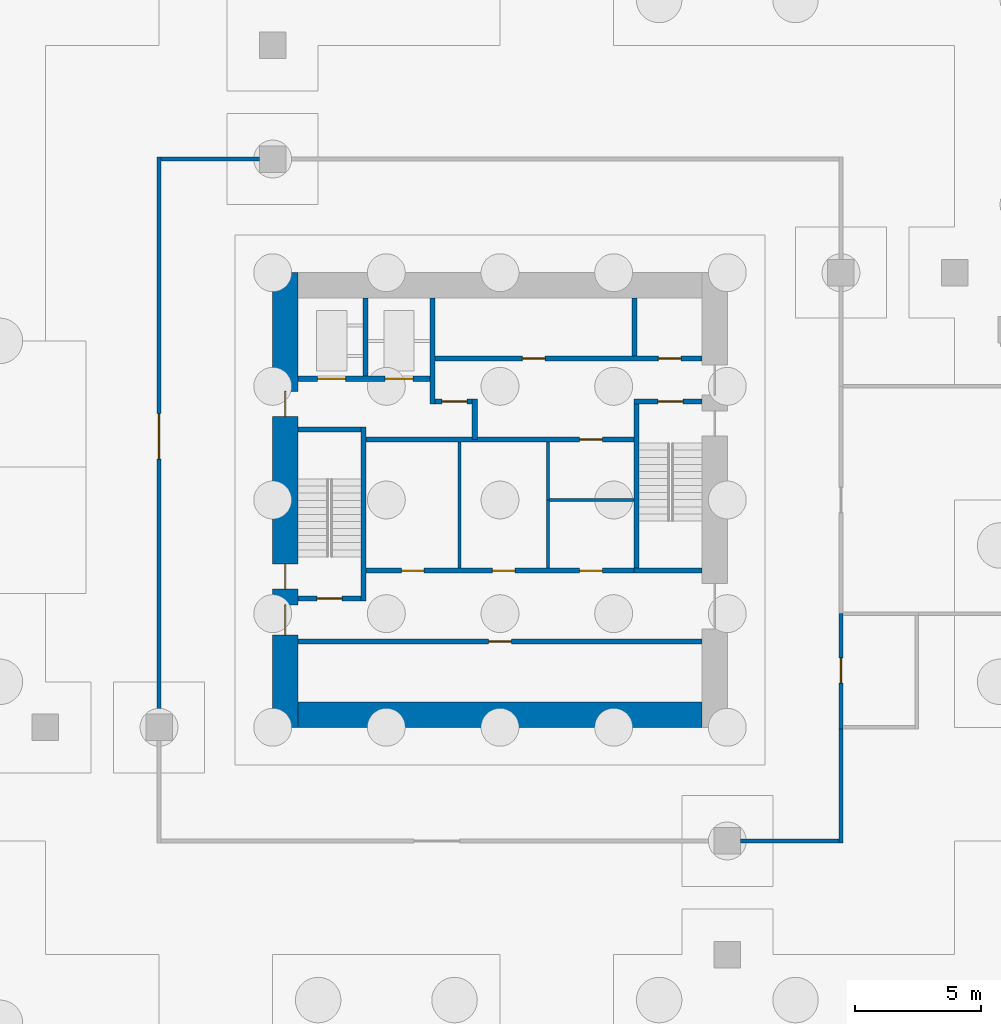
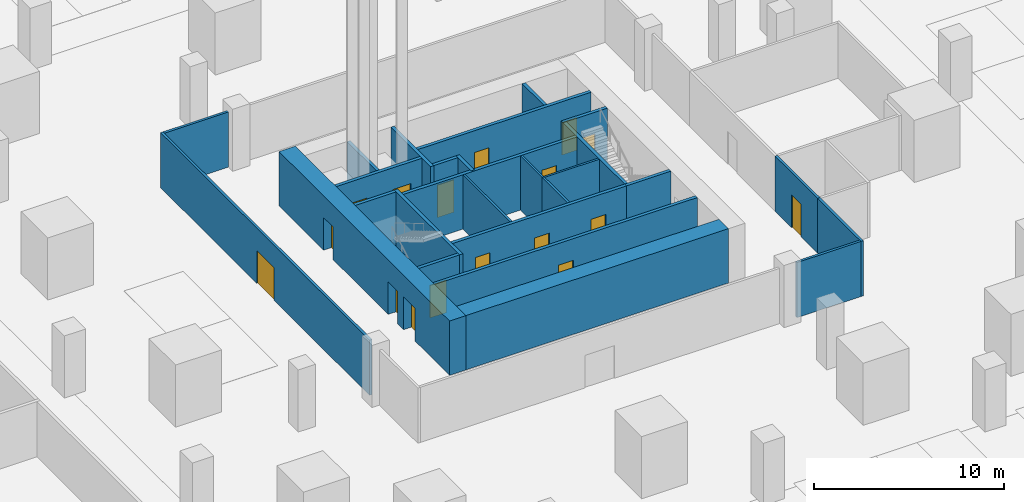
# One storey, part 6 of 40: 27 walls, 17 doors, 17 openings.
"""IFC4 building model written with IfcOpenShell, lengths in metres."""

from ifc_helpers import new_model, si_unit, direction, frame, frame_2d, origin, place, context, subcontext, project, spatial, rectangle, extrude, material, layer, layer_set, type_object, element, fill, save


model = new_model("IFC4")

# Units and contexts
model_context = context("Model", 3, precision=1e-05, world=origin(), true_north=direction((0.0, 1.0)))
body_context = subcontext(model_context, "Body", "Model", "MODEL_VIEW")
ifc_project = project(units=[si_unit("LENGTHUNIT", "METRE"), si_unit("AREAUNIT", "SQUARE_METRE"), si_unit("VOLUMEUNIT", "CUBIC_METRE"), si_unit("PLANEANGLEUNIT", "RADIAN"), si_unit("MASSUNIT", "GRAM", prefix="KILO")], contexts=[model_context])

# Site, building, storey
site_placement = place(None, origin())
site = spatial("IfcSite", under=ifc_project, at=site_placement, CompositionType="ELEMENT")
building_placement = place(site_placement, origin())
building = spatial("IfcBuilding", under=site, at=building_placement, Name="Altepetl Exchange Towers", CompositionType="ELEMENT")
storey_placement = place(building_placement, frame((0.0, 0.0, -8.0)))
storey = spatial("IfcBuildingStorey", under=building, at=storey_placement, Name="B2 Basement parking", CompositionType="ELEMENT", Elevation=-8.0)

# Wall
ifc_material_1 = material(Name="Concrete C70/85", Category="concrete")
ifc_layer_1 = layer(ifc_material_1, 1.0)
ifc_layer_set_1 = layer_set([ifc_layer_1], Name="Concrete C70/85")
wall_type_1 = type_object("IfcWallType", Name="Core wall 1000 reinforced concrete", PredefinedType="SHEAR", material=ifc_layer_set_1)
wall_1_placement = place(storey_placement, frame((41.5, 41.0, 0.0)))
element("IfcWall", 1, at=wall_1_placement, inside=storey, type_object=wall_type_1, Name="wall:A:B2:K-coreS", PredefinedType="SHEAR", context=body_context, shape_type="SweptSolid", body=[
    extrude(rectangle(XDim=16.0, YDim=1.0, at=frame_2d((8.0, 0.0))), origin(), (0.0, 0.0, 1.0), 3.5),
])

# Wall, openings, doors
wall_2_placement = place(storey_placement, frame((41.0, 40.5, 0.0), z_axis=(0.0, 0.0, 1.0), x_axis=(0.0, 1.0, 0.0)))
wall_2 = element("IfcWall", 2, at=wall_2_placement, inside=storey, type_object=wall_type_1, Name="wall:A:B2:K-coreW", PredefinedType="SHEAR", context=body_context, shape_type="SweptSolid", body=[
    extrude(rectangle(XDim=18.0, YDim=1.0, at=frame_2d((9.0, 0.0))), origin(), (0.0, 0.0, 1.0), 3.5),
])
opening_1_placement = place(wall_2_placement, frame((3.64990234375, 0.0, 0.0)))
opening_1 = element("IfcOpeningElement", 3, at=opening_1_placement, cuts=wall_2, Name="Opening B2.A62", PredefinedType="OPENING", context=body_context, shape_type="SweptSolid", body=[
    extrude(rectangle(XDim=1.199951171875, YDim=2.10009765625, at=frame_2d((0.60009765625, 1.050048828125))), frame((0.0, 0.510009765625, 0.0), z_axis=(0.0, -1.0, 0.0), x_axis=(1.0, 0.0, 0.0)), (0.0, 0.0, 1.0), 1.02001953125),
])
opening_2_placement = place(wall_2_placement, frame((5.47509765625, 0.0, 0.0)))
opening_2 = element("IfcOpeningElement", 4, at=opening_2_placement, cuts=wall_2, Name="Opening B2.A64", PredefinedType="OPENING", context=body_context, shape_type="SweptSolid", body=[
    extrude(rectangle(XDim=1.0, YDim=2.10009765625, at=frame_2d((0.5, 1.050048828125))), frame((0.0, 0.510009765625, 0.0), z_axis=(0.0, -1.0, 0.0), x_axis=(1.0, 0.0, 0.0)), (0.0, 0.0, 1.0), 1.02001953125),
])
opening_3_placement = place(wall_2_placement, frame((12.300048828125, 0.0, 0.0)))
opening_3 = element("IfcOpeningElement", 5, at=opening_3_placement, cuts=wall_2, Name="Opening B2.A68", PredefinedType="OPENING", context=body_context, shape_type="SweptSolid", body=[
    extrude(rectangle(XDim=1.0, YDim=2.10009765625, at=frame_2d((0.5, 1.050048828125))), frame((0.0, 0.510009765625, 0.0), z_axis=(0.0, -1.0, 0.0), x_axis=(1.0, 0.0, 0.0)), (0.0, 0.0, 1.0), 1.02001953125),
])
ifc_material_2 = material(Name="Steel and timber fire door", Category="steel")
door_type_1 = type_object("IfcDoorType", Name="Fire door 1000 x 2100 stair and lobby", OperationType="SINGLE_SWING_LEFT", PredefinedType="DOOR", material=ifc_material_2)
door_1_placement = place(opening_2_placement, frame((1.0, 0.0, 0.0), x_axis=(-1.0, 0.0, 0.0)))
door_1 = element("IfcDoor", 6, at=door_1_placement, inside=storey, type_object=door_type_1, Name="door:A:B2:K-dS1x", OperationType="SINGLE_SWING_RIGHT", OverallHeight=2.10009765625, OverallWidth=1.0, PredefinedType="DOOR", context=body_context, shape_type="SweptSolid", body=[
    extrude(rectangle(XDim=1.0, YDim=2.10009765625, at=frame_2d((0.5, 1.050048828125))), frame((0.0, 0.02490234375, 0.0), z_axis=(0.0, -1.0, 0.0), x_axis=(1.0, 0.0, 0.0)), (0.0, 0.0, 1.0), 0.050048828125),
])
fill(opening_2, door_1)
door_2_placement = place(opening_3_placement, frame((1.0, 0.0, 0.0), x_axis=(-1.0, 0.0, 0.0)))
door_2 = element("IfcDoor", 7, at=door_2_placement, inside=storey, type_object=door_type_1, Name="door:A:B2:K-dffW", OperationType="SINGLE_SWING_LEFT", OverallHeight=2.10009765625, OverallWidth=1.0, PredefinedType="DOOR", context=body_context, shape_type="SweptSolid", body=[
    extrude(rectangle(XDim=1.0, YDim=2.10009765625, at=frame_2d((0.5, 1.050048828125))), frame((0.0, 0.02490234375, 0.0), z_axis=(0.0, -1.0, 0.0), x_axis=(1.0, 0.0, 0.0)), (0.0, 0.0, 1.0), 0.050048828125),
])
fill(opening_3, door_2)
door_type_2 = type_object("IfcDoorType", Name="Fire door 1200 x 2100 lobby entry", OperationType="SINGLE_SWING_LEFT", PredefinedType="DOOR", material=ifc_material_2)
door_3_placement = place(opening_1_placement, frame((1.199951171875, 0.0, 0.0), x_axis=(-1.0, 0.0, 0.0)))
door_3 = element("IfcDoor", 8, at=door_3_placement, inside=storey, type_object=door_type_2, Name="door:A:B2:K-dLSW", OperationType="SINGLE_SWING_LEFT", OverallHeight=2.10009765625, OverallWidth=1.199951171875, PredefinedType="DOOR", context=body_context, shape_type="SweptSolid", body=[
    extrude(rectangle(XDim=1.199951171875, YDim=2.10009765625, at=frame_2d((0.60009765625, 1.050048828125))), frame((0.0, 0.02490234375, 0.0), z_axis=(0.0, -1.0, 0.0), x_axis=(1.0, 0.0, 0.0)), (0.0, 0.0, 1.0), 0.050048828125),
])
fill(opening_1, door_3)

# Wall
ifc_material_3 = material(Name="Concrete blockwork", Category="masonry")
ifc_layer_2 = layer(ifc_material_3, 0.199951171875)
ifc_layer_set_2 = layer_set([ifc_layer_2], Name="Concrete blockwork")
wall_type_2 = type_object("IfcWallType", Name="Lobby wall 200 blockwork", PredefinedType="PARTITIONING", material=ifc_layer_set_2)
wall_3_placement = place(storey_placement, frame((48.5, 51.89990234375, 0.0), z_axis=(0.0, 0.0, 1.0), x_axis=(0.0, 1.0, 0.0)))
element("IfcWall", 9, at=wall_3_placement, inside=storey, type_object=wall_type_2, Name="wall:A:B2:K-ffE", PredefinedType="PARTITIONING", context=body_context, shape_type="SweptSolid", body=[
    extrude(rectangle(XDim=1.60009765625, YDim=0.199951171875, at=frame_2d((0.800048828125, 0.0))), origin(), (0.0, 0.0, 1.0), 3.5),
])

# Wall, opening, door
wall_4_placement = place(storey_placement, frame((46.933349609375, 53.39990234375, 0.0)))
wall_4 = element("IfcWall", 10, at=wall_4_placement, inside=storey, type_object=wall_type_2, Name="wall:A:B2:K-ffN", PredefinedType="PARTITIONING", context=body_context, shape_type="SweptSolid", body=[
    extrude(rectangle(XDim=1.466552734375, YDim=0.199951171875, at=frame_2d((0.7333984375, 0.0))), origin(), (0.0, 0.0, 1.0), 3.5),
])
opening_4_placement = place(wall_4_placement, frame((0.2666015625, 0.0, 0.0)))
opening_4 = element("IfcOpeningElement", 11, at=opening_4_placement, cuts=wall_4, Name="Opening B2.A67", PredefinedType="OPENING", context=body_context, shape_type="SweptSolid", body=[
    extrude(rectangle(XDim=1.0, YDim=2.10009765625, at=frame_2d((0.5, 1.050048828125))), frame((0.0, 0.10986328125, 0.0), z_axis=(0.0, -1.0, 0.0), x_axis=(1.0, 0.0, 0.0)), (0.0, 0.0, 1.0), 0.219970703125),
])
door_4_placement = place(opening_4_placement, frame((1.0, 0.0, 0.0), x_axis=(-1.0, 0.0, 0.0)))
door_4 = element("IfcDoor", 12, at=door_4_placement, inside=storey, type_object=door_type_1, Name="door:A:B2:K-dffN", OperationType="SINGLE_SWING_RIGHT", OverallHeight=2.10009765625, OverallWidth=1.0, PredefinedType="DOOR", context=body_context, shape_type="SweptSolid", body=[
    extrude(rectangle(XDim=1.0, YDim=2.10009765625, at=frame_2d((0.5, 1.050048828125))), frame((0.0, 0.02490234375, 0.0), z_axis=(0.0, -1.0, 0.0), x_axis=(1.0, 0.0, 0.0)), (0.0, 0.0, 1.0), 0.050048828125),
])
fill(opening_4, door_4)

wall_5_placement = place(storey_placement, frame((44.199951171875, 51.89990234375, 0.0)))
wall_5 = element("IfcWall", 13, at=wall_5_placement, inside=storey, type_object=wall_type_2, Name="wall:A:B2:K-zoneN", PredefinedType="PARTITIONING", context=body_context, shape_type="SweptSolid", body=[
    extrude(rectangle(XDim=10.60009765625, YDim=0.199951171875, at=frame_2d((5.300048828125, 0.0))), origin(), (0.0, 0.0, 1.0), 3.5),
])
opening_5_placement = place(wall_5_placement, frame((8.449951171875, 0.0, 0.0)))
opening_5 = element("IfcOpeningElement", 14, at=opening_5_placement, cuts=wall_5, Name="Opening B2.A75", PredefinedType="OPENING", context=body_context, shape_type="SweptSolid", body=[
    extrude(rectangle(XDim=0.89990234375, YDim=2.10009765625, at=frame_2d((0.449951171875, 1.050048828125))), frame((0.0, 0.10986328125, 0.0), z_axis=(0.0, -1.0, 0.0), x_axis=(1.0, 0.0, 0.0)), (0.0, 0.0, 1.0), 0.219970703125),
])
door_type_3 = type_object("IfcDoorType", Name="Fire door 900 x 2100 service room", OperationType="SINGLE_SWING_LEFT", PredefinedType="DOOR", material=ifc_material_2)
door_5_placement = place(opening_5_placement, frame((0.89990234375, 0.0, 0.0), x_axis=(-1.0, 0.0, 0.0)))
door_5 = element("IfcDoor", 15, at=door_5_placement, inside=storey, type_object=door_type_3, Name="door:A:B2:K-dz4", OperationType="SINGLE_SWING_LEFT", OverallHeight=2.10009765625, OverallWidth=0.89990234375, PredefinedType="DOOR", context=body_context, shape_type="SweptSolid", body=[
    extrude(rectangle(XDim=0.89990234375, YDim=2.10009765625, at=frame_2d((0.449951171875, 1.050048828125))), frame((0.0, 0.02490234375, 0.0), z_axis=(0.0, -1.0, 0.0), x_axis=(1.0, 0.0, 0.0)), (0.0, 0.0, 1.0), 0.050048828125),
])
fill(opening_5, door_5)

# Wall, openings, doors
wall_6_placement = place(storey_placement, frame((44.199951171875, 46.699951171875, 0.0)))
wall_6 = element("IfcWall", 16, at=wall_6_placement, inside=storey, type_object=wall_type_2, Name="wall:A:B2:K-zoneS", PredefinedType="PARTITIONING", context=body_context, shape_type="SweptSolid", body=[
    extrude(rectangle(XDim=10.60009765625, YDim=0.199951171875, at=frame_2d((5.300048828125, 0.0))), origin(), (0.0, 0.0, 1.0), 3.5),
])
opening_6_placement = place(wall_6_placement, frame((1.39990234375, 0.0, 0.0)))
opening_6 = element("IfcOpeningElement", 17, at=opening_6_placement, cuts=wall_6, Name="Opening B2.A72", PredefinedType="OPENING", context=body_context, shape_type="SweptSolid", body=[
    extrude(rectangle(XDim=0.89990234375, YDim=2.10009765625, at=frame_2d((0.449951171875, 1.050048828125))), frame((0.0, 0.10986328125, 0.0), z_axis=(0.0, -1.0, 0.0), x_axis=(1.0, 0.0, 0.0)), (0.0, 0.0, 1.0), 0.219970703125),
])
opening_7_placement = place(wall_6_placement, frame((5.0, 0.0, 0.0)))
opening_7 = element("IfcOpeningElement", 18, at=opening_7_placement, cuts=wall_6, Name="Opening B2.A73", PredefinedType="OPENING", context=body_context, shape_type="SweptSolid", body=[
    extrude(rectangle(XDim=0.89990234375, YDim=2.10009765625, at=frame_2d((0.449951171875, 1.050048828125))), frame((0.0, 0.10986328125, 0.0), z_axis=(0.0, -1.0, 0.0), x_axis=(1.0, 0.0, 0.0)), (0.0, 0.0, 1.0), 0.219970703125),
])
opening_8_placement = place(wall_6_placement, frame((8.449951171875, 0.0, 0.0)))
opening_8 = element("IfcOpeningElement", 19, at=opening_8_placement, cuts=wall_6, Name="Opening B2.A74", PredefinedType="OPENING", context=body_context, shape_type="SweptSolid", body=[
    extrude(rectangle(XDim=0.89990234375, YDim=2.10009765625, at=frame_2d((0.449951171875, 1.050048828125))), frame((0.0, 0.10986328125, 0.0), z_axis=(0.0, -1.0, 0.0), x_axis=(1.0, 0.0, 0.0)), (0.0, 0.0, 1.0), 0.219970703125),
])
door_6_placement = place(opening_6_placement, origin())
door_6 = element("IfcDoor", 20, at=door_6_placement, inside=storey, type_object=door_type_3, Name="door:A:B2:K-dz1", OperationType="SINGLE_SWING_LEFT", OverallHeight=2.10009765625, OverallWidth=0.89990234375, PredefinedType="DOOR", context=body_context, shape_type="SweptSolid", body=[
    extrude(rectangle(XDim=0.89990234375, YDim=2.10009765625, at=frame_2d((0.449951171875, 1.050048828125))), frame((0.0, 0.02490234375, 0.0), z_axis=(0.0, -1.0, 0.0), x_axis=(1.0, 0.0, 0.0)), (0.0, 0.0, 1.0), 0.050048828125),
])
fill(opening_6, door_6)
door_7_placement = place(opening_7_placement, origin())
door_7 = element("IfcDoor", 21, at=door_7_placement, inside=storey, type_object=door_type_3, Name="door:A:B2:K-dz2", OperationType="SINGLE_SWING_RIGHT", OverallHeight=2.10009765625, OverallWidth=0.89990234375, PredefinedType="DOOR", context=body_context, shape_type="SweptSolid", body=[
    extrude(rectangle(XDim=0.89990234375, YDim=2.10009765625, at=frame_2d((0.449951171875, 1.050048828125))), frame((0.0, 0.02490234375, 0.0), z_axis=(0.0, -1.0, 0.0), x_axis=(1.0, 0.0, 0.0)), (0.0, 0.0, 1.0), 0.050048828125),
])
fill(opening_7, door_7)
door_8_placement = place(opening_8_placement, origin())
door_8 = element("IfcDoor", 22, at=door_8_placement, inside=storey, type_object=door_type_3, Name="door:A:B2:K-dz3", OperationType="SINGLE_SWING_RIGHT", OverallHeight=2.10009765625, OverallWidth=0.89990234375, PredefinedType="DOOR", context=body_context, shape_type="SweptSolid", body=[
    extrude(rectangle(XDim=0.89990234375, YDim=2.10009765625, at=frame_2d((0.449951171875, 1.050048828125))), frame((0.0, 0.02490234375, 0.0), z_axis=(0.0, -1.0, 0.0), x_axis=(1.0, 0.0, 0.0)), (0.0, 0.0, 1.0), 0.050048828125),
])
fill(opening_8, door_8)

# Walls
ifc_material_4 = material(Name="Gypsum board on steel studs", Category="steel")
ifc_layer_3 = layer(ifc_material_4, 0.125)
ifc_layer_set_3 = layer_set([ifc_layer_3], Name="Gypsum board on steel studs")
wall_type_3 = type_object("IfcWallType", Name="Partition 125 gypsum board on steel studs", PredefinedType="PARTITIONING", material=ifc_layer_set_3)
wall_7_placement = place(storey_placement, frame((47.89990234375, 46.800048828125, 0.0), z_axis=(0.0, 0.0, 1.0), x_axis=(0.0, 1.0, 0.0)))
element("IfcWall", 23, at=wall_7_placement, inside=storey, type_object=wall_type_3, Name="wall:A:B2:K-zp1", PredefinedType="PARTITIONING", context=body_context, shape_type="SweptSolid", body=[
    extrude(rectangle(XDim=5.0, YDim=0.125, at=frame_2d((2.5, 0.0))), origin(), (0.0, 0.0, 1.0), 3.5),
])
wall_8_placement = place(storey_placement, frame((51.39990234375, 46.800048828125, 0.0), z_axis=(0.0, 0.0, 1.0), x_axis=(0.0, 1.0, 0.0)))
element("IfcWall", 24, at=wall_8_placement, inside=storey, type_object=wall_type_3, Name="wall:A:B2:K-zp2", PredefinedType="PARTITIONING", context=body_context, shape_type="SweptSolid", body=[
    extrude(rectangle(XDim=2.762451171875, YDim=0.125, at=frame_2d((1.38134765625, 0.0))), origin(), (0.0, 0.0, 1.0), 3.5),
])
wall_9_placement = place(storey_placement, frame((54.800048828125, 49.5, 0.0), z_axis=(0.0, 0.0, 1.0), x_axis=(-1.0, 0.0, 0.0)))
element("IfcWall", 25, at=wall_9_placement, inside=storey, type_object=wall_type_3, Name="wall:A:B2:K-zp3", PredefinedType="PARTITIONING", context=body_context, shape_type="SweptSolid", body=[
    extrude(rectangle(XDim=3.337646484375, YDim=0.125, at=frame_2d((1.6689453125, 0.0))), origin(), (0.0, 0.0, 1.0), 3.5),
])
wall_10_placement = place(storey_placement, frame((51.39990234375, 49.5, 0.0), z_axis=(0.0, 0.0, 1.0), x_axis=(0.0, 1.0, 0.0)))
element("IfcWall", 26, at=wall_10_placement, inside=storey, type_object=wall_type_3, Name="wall:A:B2:K-zp4", PredefinedType="PARTITIONING", context=body_context, shape_type="SweptSolid", body=[
    extrude(rectangle(XDim=2.300048828125, YDim=0.125, at=frame_2d((1.14990234375, 0.0))), origin(), (0.0, 0.0, 1.0), 3.5),
])

# Wall, opening, door
ifc_layer_4 = layer(ifc_material_4, 0.14990234375)
ifc_layer_set_4 = layer_set([ifc_layer_4], Name="Gypsum board on steel studs")
wall_type_4 = type_object("IfcWallType", Name="Podium partition 150", PredefinedType="PARTITIONING", material=ifc_layer_set_4)
wall_11_placement = place(storey_placement, frame((63.0, 40.425048828125, 0.0), z_axis=(0.0, 0.0, 1.0), x_axis=(0.0, 1.0, 0.0)))
wall_11 = element("IfcWall", 27, at=wall_11_placement, inside=storey, type_object=wall_type_4, Name="wall:P:B2:P030", PredefinedType="PARTITIONING", context=body_context, shape_type="SweptSolid", body=[
    extrude(rectangle(XDim=4.574951171875, YDim=0.14990234375, at=frame_2d((2.28759765625, 0.0))), origin(), (0.0, 0.0, 1.0), 3.550048828125),
])
opening_9_placement = place(wall_11_placement, frame((1.824951171875, 0.0, 0.0)))
opening_9 = element("IfcOpeningElement", 28, at=opening_9_placement, cuts=wall_11, Name="Opening B2.P011", PredefinedType="OPENING", context=body_context, shape_type="SweptSolid", body=[
    extrude(rectangle(XDim=1.0, YDim=2.10009765625, at=frame_2d((0.5, 1.050048828125))), frame((0.0, 0.0849609375, 0.0), z_axis=(0.0, -1.0, 0.0), x_axis=(1.0, 0.0, 0.0)), (0.0, 0.0, 1.0), 0.169921875),
])
door_type_4 = type_object("IfcDoorType", Name="Podium fire door 1000 x 2100 single leaf", OperationType="SINGLE_SWING_LEFT", PredefinedType="DOOR", material=ifc_material_2)
door_9_placement = place(opening_9_placement, frame((1.0, 0.0, 0.0), x_axis=(-1.0, 0.0, 0.0)))
door_9 = element("IfcDoor", 29, at=door_9_placement, inside=storey, type_object=door_type_4, Name="door:P:B2:011", OperationType="SINGLE_SWING_RIGHT", OverallHeight=2.10009765625, OverallWidth=1.0, PredefinedType="DOOR", context=body_context, shape_type="SweptSolid", body=[
    extrude(rectangle(XDim=1.0, YDim=2.10009765625, at=frame_2d((0.5, 1.050048828125))), frame((0.0, 0.02490234375, 0.0), z_axis=(0.0, -1.0, 0.0), x_axis=(1.0, 0.0, 0.0)), (0.0, 0.0, 1.0), 0.050048828125),
])
fill(opening_9, door_9)

wall_12_placement = place(storey_placement, frame((36.0, 41.02001953125, 0.0), z_axis=(0.0, 0.0, 1.0), x_axis=(0.0, 1.0, 0.0)))
wall_12 = element("IfcWall", 30, at=wall_12_placement, inside=storey, type_object=wall_type_4, Name="wall:P:B2:P032", PredefinedType="PARTITIONING", context=body_context, shape_type="SweptSolid", body=[
    extrude(rectangle(XDim=22.054931640625, YDim=0.14990234375, at=frame_2d((11.02734375, 0.0))), origin(), (0.0, 0.0, 1.0), 3.550048828125),
])
opening_10_placement = place(wall_12_placement, frame((10.10009765625, 0.0, 0.0)))
opening_10 = element("IfcOpeningElement", 31, at=opening_10_placement, cuts=wall_12, Name="Opening B2.P020", PredefinedType="OPENING", context=body_context, shape_type="SweptSolid", body=[
    extrude(rectangle(XDim=1.800048828125, YDim=2.10009765625, at=frame_2d((0.89990234375, 1.050048828125))), frame((0.0, 0.0849609375, 0.0), z_axis=(0.0, -1.0, 0.0), x_axis=(1.0, 0.0, 0.0)), (0.0, 0.0, 1.0), 0.169921875),
])
ifc_material_5 = material(Name="Glazed aluminium and steel", Category="steel")
door_type_5 = type_object("IfcDoorType", Name="Podium fire door 1800 x 2100 double leaf", OperationType="DOUBLE_DOOR_SINGLE_SWING", PredefinedType="DOOR", material=ifc_material_5)
door_10_placement = place(opening_10_placement, frame((1.800048828125, 0.0, 0.0), x_axis=(-1.0, 0.0, 0.0)))
door_10 = element("IfcDoor", 32, at=door_10_placement, inside=storey, type_object=door_type_5, Name="door:P:B2:020", OperationType="DOUBLE_DOOR_SINGLE_SWING", OverallHeight=2.10009765625, OverallWidth=1.800048828125, PredefinedType="DOOR", context=body_context, shape_type="SweptSolid", body=[
    extrude(rectangle(XDim=1.800048828125, YDim=2.10009765625, at=frame_2d((0.89990234375, 1.050048828125))), frame((0.0, 0.02490234375, 0.0), z_axis=(0.0, -1.0, 0.0), x_axis=(1.0, 0.0, 0.0)), (0.0, 0.0, 1.0), 0.050048828125),
])
fill(opening_10, door_10)

# Walls
wall_13_placement = place(storey_placement, frame((63.0, 35.925048828125, 0.0), z_axis=(0.0, 0.0, 1.0), x_axis=(0.0, 1.0, 0.0)))
element("IfcWall", 33, at=wall_13_placement, inside=storey, type_object=wall_type_4, Name="wall:P:B2:P033", PredefinedType="PARTITIONING", context=body_context, shape_type="SweptSolid", body=[
    extrude(rectangle(XDim=4.574951171875, YDim=0.14990234375, at=frame_2d((2.28759765625, 0.0))), origin(), (0.0, 0.0, 1.0), 3.550048828125),
])
for number, where, name in (
    (34, (59.02001953125, 36.0, 0.0), "wall:P:B2:P037"),
    (35, (36.074951171875, 63.0, 0.0), "wall:P:B2:P038"),
):
    element("IfcWall", number, at=place(storey_placement, frame(where)), inside=storey, type_object=wall_type_4, Name=name, PredefinedType="PARTITIONING", context=body_context, shape_type="SweptSolid", body=[
        extrude(rectangle(XDim=3.905029296875, YDim=0.14990234375, at=frame_2d((1.95263671875, 0.0))), origin(), (0.0, 0.0, 1.0), 3.550048828125),
    ])
ifc_material_6 = material(Name="Concrete C40/50", Category="concrete")
ifc_layer_5 = layer(ifc_material_6, 0.199951171875)
ifc_layer_set_5 = layer_set([ifc_layer_5], Name="Concrete C40/50")
wall_type_5 = type_object("IfcWallType", Name="Shaft wall 200 reinforced concrete", PredefinedType="SHEAR", material=ifc_layer_set_5)
wall_14_placement = place(storey_placement, frame((44.166748046875, 57.5, 0.0), z_axis=(0.0, 0.0, 1.0), x_axis=(0.0, -1.0, 0.0)))
element("IfcWall", 36, at=wall_14_placement, inside=storey, type_object=wall_type_5, Name="wall:A:B2:K-divN1", PredefinedType="SHEAR", context=body_context, shape_type="SweptSolid", body=[
    extrude(rectangle(XDim=3.10009765625, YDim=0.199951171875, at=frame_2d((1.550048828125, 0.0))), origin(), (0.0, 0.0, 1.0), 3.5),
])
wall_15_placement = place(storey_placement, frame((46.833251953125, 57.5, 0.0), z_axis=(0.0, 0.0, 1.0), x_axis=(0.0, -1.0, 0.0)))
element("IfcWall", 37, at=wall_15_placement, inside=storey, type_object=wall_type_5, Name="wall:A:B2:K-divN2", PredefinedType="SHEAR", context=body_context, shape_type="SweptSolid", body=[
    extrude(rectangle(XDim=4.199951171875, YDim=0.199951171875, at=frame_2d((2.10009765625, 0.0))), origin(), (0.0, 0.0, 1.0), 3.5),
])
wall_16_placement = place(storey_placement, frame((54.833251953125, 57.5, 0.0), z_axis=(0.0, 0.0, 1.0), x_axis=(0.0, -1.0, 0.0)))
element("IfcWall", 38, at=wall_16_placement, inside=storey, type_object=wall_type_5, Name="wall:A:B2:K-divN5", PredefinedType="SHEAR", context=body_context, shape_type="SweptSolid", body=[
    extrude(rectangle(XDim=2.300048828125, YDim=0.199951171875, at=frame_2d((1.14990234375, 0.0))), origin(), (0.0, 0.0, 1.0), 3.5),
])

# Wall, openings, doors
wall_17_placement = place(storey_placement, frame((46.933349609375, 55.10009765625, 0.0)))
wall_17 = element("IfcWall", 39, at=wall_17_placement, inside=storey, type_object=wall_type_5, Name="wall:A:B2:K-frontNb", PredefinedType="SHEAR", context=body_context, shape_type="SweptSolid", body=[
    extrude(rectangle(XDim=10.566650390625, YDim=0.199951171875, at=frame_2d((5.283203125, 0.0))), origin(), (0.0, 0.0, 1.0), 3.5),
])
opening_11_placement = place(wall_17_placement, frame((8.83349609375, 0.0, 0.0)))
opening_11 = element("IfcOpeningElement", 40, at=opening_11_placement, cuts=wall_17, Name="Opening B2.A69", PredefinedType="OPENING", context=body_context, shape_type="SweptSolid", body=[
    extrude(rectangle(XDim=0.89990234375, YDim=2.10009765625, at=frame_2d((0.449951171875, 1.050048828125))), frame((0.0, 0.10986328125, 0.0), z_axis=(0.0, -1.0, 0.0), x_axis=(1.0, 0.0, 0.0)), (0.0, 0.0, 1.0), 0.219970703125),
])
opening_12_placement = place(wall_17_placement, frame((3.449951171875, 0.0, 0.0)))
opening_12 = element("IfcOpeningElement", 41, at=opening_12_placement, cuts=wall_17, Name="Opening B2.A70", PredefinedType="OPENING", context=body_context, shape_type="SweptSolid", body=[
    extrude(rectangle(XDim=0.89990234375, YDim=2.10009765625, at=frame_2d((0.449951171875, 1.050048828125))), frame((0.0, 0.10986328125, 0.0), z_axis=(0.0, -1.0, 0.0), x_axis=(1.0, 0.0, 0.0)), (0.0, 0.0, 1.0), 0.219970703125),
])
door_11_placement = place(opening_11_placement, origin())
door_11 = element("IfcDoor", 42, at=door_11_placement, inside=storey, type_object=door_type_3, Name="door:A:B2:K-driser", OperationType="SINGLE_SWING_RIGHT", OverallHeight=2.10009765625, OverallWidth=0.89990234375, PredefinedType="DOOR", context=body_context, shape_type="SweptSolid", body=[
    extrude(rectangle(XDim=0.89990234375, YDim=2.10009765625, at=frame_2d((0.449951171875, 1.050048828125))), frame((0.0, 0.02490234375, 0.0), z_axis=(0.0, -1.0, 0.0), x_axis=(1.0, 0.0, 0.0)), (0.0, 0.0, 1.0), 0.050048828125),
])
fill(opening_11, door_11)
door_12_placement = place(opening_12_placement, origin())
door_12 = element("IfcDoor", 43, at=door_12_placement, inside=storey, type_object=door_type_3, Name="door:A:B2:K-dslotN2", OperationType="SINGLE_SWING_RIGHT", OverallHeight=2.10009765625, OverallWidth=0.89990234375, PredefinedType="DOOR", context=body_context, shape_type="SweptSolid", body=[
    extrude(rectangle(XDim=0.89990234375, YDim=2.10009765625, at=frame_2d((0.449951171875, 1.050048828125))), frame((0.0, 0.02490234375, 0.0), z_axis=(0.0, -1.0, 0.0), x_axis=(1.0, 0.0, 0.0)), (0.0, 0.0, 1.0), 0.050048828125),
])
fill(opening_12, door_12)

wall_18_placement = place(storey_placement, frame((41.5, 54.300048828125, 0.0)))
wall_18 = element("IfcWall", 44, at=wall_18_placement, inside=storey, type_object=wall_type_5, Name="wall:A:B2:K-frontNd", PredefinedType="SHEAR", context=body_context, shape_type="SweptSolid", body=[
    extrude(rectangle(XDim=5.2333984375, YDim=0.199951171875, at=frame_2d((2.61669921875, 0.0))), origin(), (0.0, 0.0, 1.0), 3.5),
])
opening_13_placement = place(wall_18_placement, frame((0.783203125, 0.0, 0.0)))
opening_13 = element("IfcOpeningElement", 45, at=opening_13_placement, cuts=wall_18, Name="Opening B2.A76", PredefinedType="OPENING", context=body_context, shape_type="SweptSolid", body=[
    extrude(rectangle(XDim=1.10009765625, YDim=2.10009765625, at=frame_2d((0.550048828125, 1.050048828125))), frame((0.0, 0.10986328125, 0.0), z_axis=(0.0, -1.0, 0.0), x_axis=(1.0, 0.0, 0.0)), (0.0, 0.0, 1.0), 0.219970703125),
])
opening_14_placement = place(wall_18_placement, frame((3.449951171875, 0.0, 0.0)))
opening_14 = element("IfcOpeningElement", 46, at=opening_14_placement, cuts=wall_18, Name="Opening B2.A77", PredefinedType="OPENING", context=body_context, shape_type="SweptSolid", body=[
    extrude(rectangle(XDim=1.10009765625, YDim=2.10009765625, at=frame_2d((0.550048828125, 1.050048828125))), frame((0.0, 0.10986328125, 0.0), z_axis=(0.0, -1.0, 0.0), x_axis=(1.0, 0.0, 0.0)), (0.0, 0.0, 1.0), 0.219970703125),
])
ifc_material_7 = material(Name="Stainless steel", Category="steel")
door_type_6 = type_object("IfcDoorType", Name="Lift landing door 1100 x 2100", OperationType="SLIDING_TO_LEFT", PredefinedType="DOOR", material=ifc_material_7)
door_13_placement = place(opening_13_placement, origin())
door_13 = element("IfcDoor", 47, at=door_13_placement, inside=storey, type_object=door_type_6, Name="Landing door FFL1", OperationType="SLIDING_TO_LEFT", OverallHeight=2.10009765625, OverallWidth=1.10009765625, PredefinedType="DOOR", context=body_context, shape_type="SweptSolid", body=[
    extrude(rectangle(XDim=1.10009765625, YDim=2.10009765625, at=frame_2d((0.550048828125, 1.050048828125))), frame((0.0, 0.02490234375, 0.0), z_axis=(0.0, -1.0, 0.0), x_axis=(1.0, 0.0, 0.0)), (0.0, 0.0, 1.0), 0.050048828125),
])
fill(opening_13, door_13)
door_14_placement = place(opening_14_placement, origin())
door_14 = element("IfcDoor", 48, at=door_14_placement, inside=storey, type_object=door_type_6, Name="Landing door FFL2", OperationType="SLIDING_TO_LEFT", OverallHeight=2.10009765625, OverallWidth=1.10009765625, PredefinedType="DOOR", context=body_context, shape_type="SweptSolid", body=[
    extrude(rectangle(XDim=1.10009765625, YDim=2.10009765625, at=frame_2d((0.550048828125, 1.050048828125))), frame((0.0, 0.02490234375, 0.0), z_axis=(0.0, -1.0, 0.0), x_axis=(1.0, 0.0, 0.0)), (0.0, 0.0, 1.0), 0.050048828125),
])
fill(opening_14, door_14)

# Wall, opening, door
wall_19_placement = place(storey_placement, frame((41.5, 43.89990234375, 0.0)))
wall_19 = element("IfcWall", 49, at=wall_19_placement, inside=storey, type_object=wall_type_5, Name="wall:A:B2:K-frontS", PredefinedType="SHEAR", context=body_context, shape_type="SweptSolid", body=[
    extrude(rectangle(XDim=16.0, YDim=0.199951171875, at=frame_2d((8.0, 0.0))), origin(), (0.0, 0.0, 1.0), 3.5),
])
opening_15_placement = place(wall_19_placement, frame((7.550048828125, 0.0, 0.0)))
opening_15 = element("IfcOpeningElement", 50, at=opening_15_placement, cuts=wall_19, Name="Opening B2.A71", PredefinedType="OPENING", context=body_context, shape_type="SweptSolid", body=[
    extrude(rectangle(XDim=0.89990234375, YDim=2.10009765625, at=frame_2d((0.449951171875, 1.050048828125))), frame((0.0, 0.10986328125, 0.0), z_axis=(0.0, -1.0, 0.0), x_axis=(1.0, 0.0, 0.0)), (0.0, 0.0, 1.0), 0.219970703125),
])
door_15_placement = place(opening_15_placement, frame((0.89990234375, 0.0, 0.0), x_axis=(-1.0, 0.0, 0.0)))
door_15 = element("IfcDoor", 51, at=door_15_placement, inside=storey, type_object=door_type_3, Name="door:A:B2:K-dslotS0", OperationType="SINGLE_SWING_LEFT", OverallHeight=2.10009765625, OverallWidth=0.89990234375, PredefinedType="DOOR", context=body_context, shape_type="SweptSolid", body=[
    extrude(rectangle(XDim=0.89990234375, YDim=2.10009765625, at=frame_2d((0.449951171875, 1.050048828125))), frame((0.0, 0.02490234375, 0.0), z_axis=(0.0, -1.0, 0.0), x_axis=(1.0, 0.0, 0.0)), (0.0, 0.0, 1.0), 0.050048828125),
])
fill(opening_15, door_15)

# Walls
ifc_layer_6 = layer(ifc_material_6, 0.199951171875)
ifc_layer_set_6 = layer_set([ifc_layer_6], Name="Concrete C40/50")
wall_type_6 = type_object("IfcWallType", Name="Stair wall 200 reinforced concrete", PredefinedType="SHEAR", material=ifc_layer_set_6)
wall_20_placement = place(storey_placement, frame((44.10009765625, 45.5, 0.0), z_axis=(0.0, 0.0, 1.0), x_axis=(0.0, 1.0, 0.0)))
element("IfcWall", 52, at=wall_20_placement, inside=storey, type_object=wall_type_6, Name="wall:A:B2:K-stS1E", PredefinedType="SHEAR", context=body_context, shape_type="SweptSolid", body=[
    extrude(rectangle(XDim=6.89990234375, YDim=0.199951171875, at=frame_2d((3.449951171875, 0.0))), origin(), (0.0, 0.0, 1.0), 3.5),
])
wall_21_placement = place(storey_placement, frame((41.5, 52.300048828125, 0.0)))
element("IfcWall", 53, at=wall_21_placement, inside=storey, type_object=wall_type_6, Name="wall:A:B2:K-stS1N", PredefinedType="SHEAR", context=body_context, shape_type="SweptSolid", body=[
    extrude(rectangle(XDim=2.5, YDim=0.199951171875, at=frame_2d((1.25, 0.0))), origin(), (0.0, 0.0, 1.0), 3.5),
])

# Wall, opening, door
wall_22_placement = place(storey_placement, frame((41.5, 45.60009765625, 0.0)))
wall_22 = element("IfcWall", 54, at=wall_22_placement, inside=storey, type_object=wall_type_6, Name="wall:A:B2:K-stS1S", PredefinedType="SHEAR", context=body_context, shape_type="SweptSolid", body=[
    extrude(rectangle(XDim=2.5, YDim=0.199951171875, at=frame_2d((1.25, 0.0))), origin(), (0.0, 0.0, 1.0), 3.5),
])
opening_16_placement = place(wall_22_placement, frame((0.75, 0.0, 0.0)))
opening_16 = element("IfcOpeningElement", 55, at=opening_16_placement, cuts=wall_22, Name="Opening B2.A63", PredefinedType="OPENING", context=body_context, shape_type="SweptSolid", body=[
    extrude(rectangle(XDim=1.0, YDim=2.10009765625, at=frame_2d((0.5, 1.050048828125))), frame((0.0, 0.10986328125, 0.0), z_axis=(0.0, -1.0, 0.0), x_axis=(1.0, 0.0, 0.0)), (0.0, 0.0, 1.0), 0.219970703125),
])
door_16_placement = place(opening_16_placement, origin())
door_16 = element("IfcDoor", 56, at=door_16_placement, inside=storey, type_object=door_type_1, Name="door:A:B2:K-dS1in", OperationType="SINGLE_SWING_RIGHT", OverallHeight=2.10009765625, OverallWidth=1.0, PredefinedType="DOOR", context=body_context, shape_type="SweptSolid", body=[
    extrude(rectangle(XDim=1.0, YDim=2.10009765625, at=frame_2d((0.5, 1.050048828125))), frame((0.0, 0.02490234375, 0.0), z_axis=(0.0, -1.0, 0.0), x_axis=(1.0, 0.0, 0.0)), (0.0, 0.0, 1.0), 0.050048828125),
])
fill(opening_16, door_16)

wall_23_placement = place(storey_placement, frame((54.800048828125, 53.39990234375, 0.0)))
wall_23 = element("IfcWall", 57, at=wall_23_placement, inside=storey, type_object=wall_type_6, Name="wall:A:B2:K-stS2N", PredefinedType="SHEAR", context=body_context, shape_type="SweptSolid", body=[
    extrude(rectangle(XDim=2.699951171875, YDim=0.199951171875, at=frame_2d((1.35009765625, 0.0))), origin(), (0.0, 0.0, 1.0), 3.5),
])
opening_17_placement = place(wall_23_placement, frame((0.949951171875, 0.0, 0.0)))
opening_17 = element("IfcOpeningElement", 58, at=opening_17_placement, cuts=wall_23, Name="Opening B2.A65", PredefinedType="OPENING", context=body_context, shape_type="SweptSolid", body=[
    extrude(rectangle(XDim=1.0, YDim=2.10009765625, at=frame_2d((0.5, 1.050048828125))), frame((0.0, 0.10986328125, 0.0), z_axis=(0.0, -1.0, 0.0), x_axis=(1.0, 0.0, 0.0)), (0.0, 0.0, 1.0), 0.219970703125),
])
door_17_placement = place(opening_17_placement, frame((1.0, 0.0, 0.0), x_axis=(-1.0, 0.0, 0.0)))
door_17 = element("IfcDoor", 59, at=door_17_placement, inside=storey, type_object=door_type_1, Name="door:A:B2:K-dS2in", OperationType="SINGLE_SWING_LEFT", OverallHeight=2.10009765625, OverallWidth=1.0, PredefinedType="DOOR", context=body_context, shape_type="SweptSolid", body=[
    extrude(rectangle(XDim=1.0, YDim=2.10009765625, at=frame_2d((0.5, 1.050048828125))), frame((0.0, 0.02490234375, 0.0), z_axis=(0.0, -1.0, 0.0), x_axis=(1.0, 0.0, 0.0)), (0.0, 0.0, 1.0), 0.050048828125),
])
fill(opening_17, door_17)

# Walls
wall_24_placement = place(storey_placement, frame((54.800048828125, 46.699951171875, 0.0)))
element("IfcWall", 60, at=wall_24_placement, inside=storey, type_object=wall_type_6, Name="wall:A:B2:K-stS2S", PredefinedType="SHEAR", context=body_context, shape_type="SweptSolid", body=[
    extrude(rectangle(XDim=2.699951171875, YDim=0.199951171875, at=frame_2d((1.35009765625, 0.0))), origin(), (0.0, 0.0, 1.0), 3.5),
])
wall_25_placement = place(storey_placement, frame((54.89990234375, 46.800048828125, 0.0), z_axis=(0.0, 0.0, 1.0), x_axis=(0.0, 1.0, 0.0)))
element("IfcWall", 61, at=wall_25_placement, inside=storey, type_object=wall_type_6, Name="wall:A:B2:K-stS2W", PredefinedType="SHEAR", context=body_context, shape_type="SweptSolid", body=[
    extrude(rectangle(XDim=6.5, YDim=0.199951171875, at=frame_2d((3.25, 0.0))), origin(), (0.0, 0.0, 1.0), 3.5),
])

save(model, "model.ifc")
